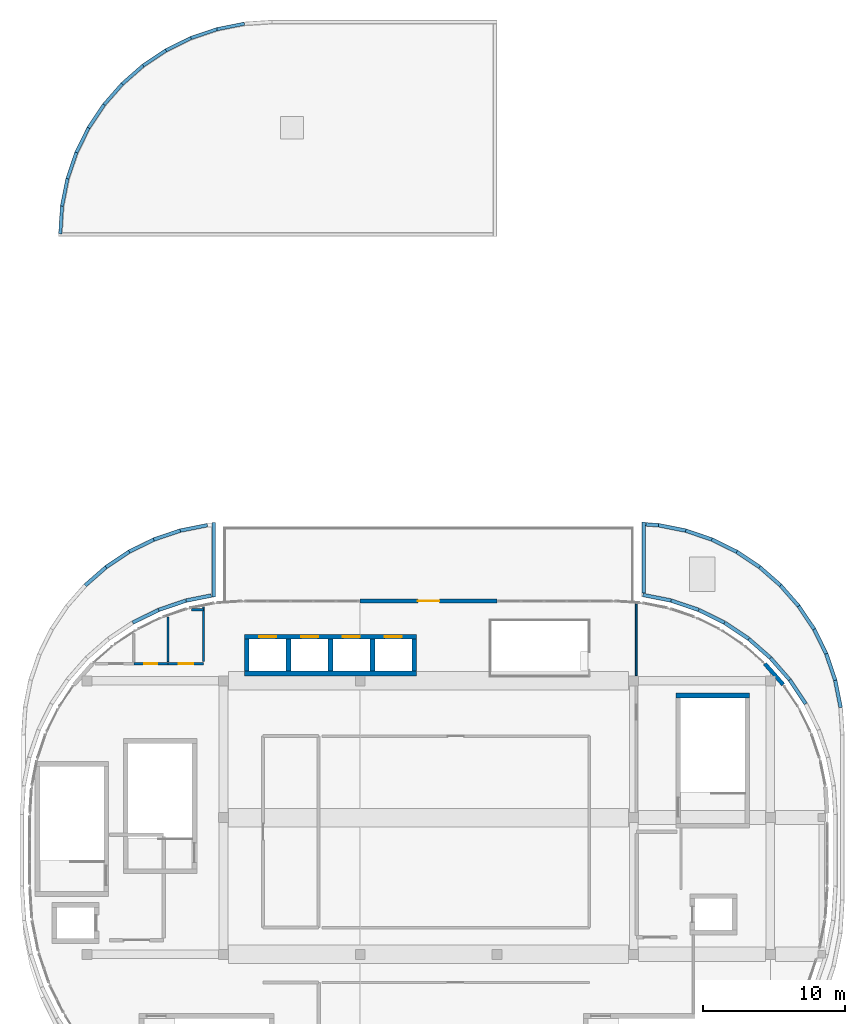
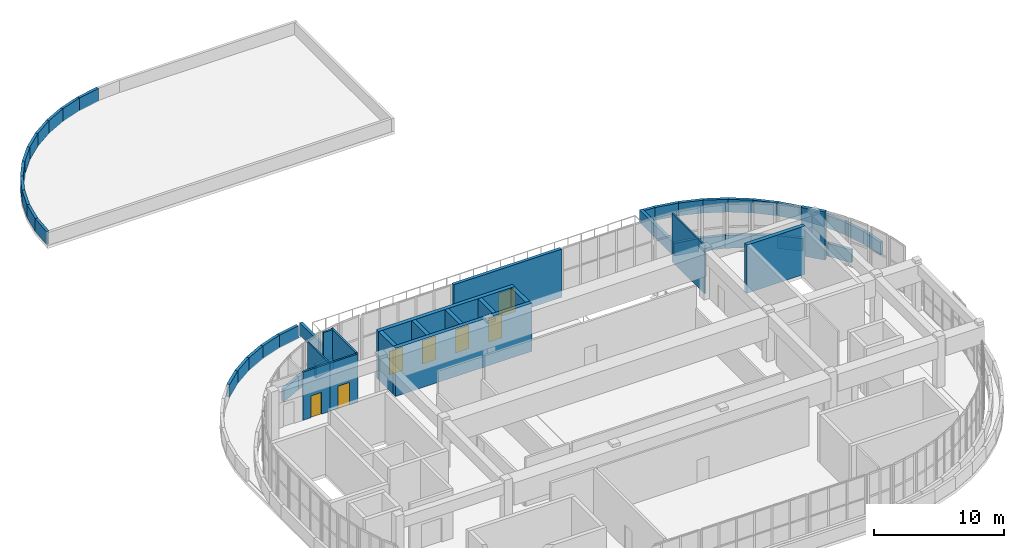
# One storey, part 19 of 23: 55 walls, 7 doors, 7 openings.
"""IFC4 building model written with IfcOpenShell, lengths in metres."""

from ifc_helpers import new_model, si_unit, direction, frame, frame_2d, origin, place, context, subcontext, project, spatial, rectangle, extrude, material, layer, layer_set, type_object, element, fill, save


model = new_model("IFC4")

# Units and contexts
model_context = context("Model", 3, precision=1e-05, world=origin(), true_north=direction((0.0, 1.0)))
body_context = subcontext(model_context, "Body", "Model", "MODEL_VIEW")
ifc_project = project(units=[si_unit("LENGTHUNIT", "METRE"), si_unit("AREAUNIT", "SQUARE_METRE"), si_unit("VOLUMEUNIT", "CUBIC_METRE"), si_unit("PLANEANGLEUNIT", "RADIAN"), si_unit("MASSUNIT", "GRAM", prefix="KILO")], contexts=[model_context])

# Site, building, storey
site_placement = place(None, origin())
site = spatial("IfcSite", under=ifc_project, at=site_placement, CompositionType="ELEMENT")
building_placement = place(site_placement, origin())
building = spatial("IfcBuilding", under=site, at=building_placement, Name="Cendralis Terraced Arcade", CompositionType="ELEMENT")
storey_placement = place(building_placement, frame((0.0, 0.0, 29.39990234375)))
storey = spatial("IfcBuildingStorey", under=building, at=storey_placement, Name="L06", CompositionType="ELEMENT", Elevation=29.39990234375)

# Walls
ifc_material_1 = material(Name="Concrete f'c 42 MPa", Category="concrete")
ifc_layer_1 = layer(ifc_material_1, 0.340087890625, Name="WL-CORE-340")
ifc_layer_set_1 = layer_set([ifc_layer_1], Name="Concrete f'c 42 MPa")
wall_type_1 = type_object("IfcWallType", Name="WL-CORE-340", PredefinedType="SHEAR", material=ifc_layer_set_1)
wall_1_placement = place(storey_placement, frame((50.9599609375, 37.3701171875, 0.0), z_axis=(0.0, 0.0, 1.0), x_axis=(1.0, 0.0, 0.0)))
element("IfcWall", 1, at=wall_1_placement, inside=storey, type_object=wall_type_1, Name="Stair Core Reinforced Concrete Shear Wall SW-ST-04-L06-N", PredefinedType="SHEAR", context=body_context, shape_type="SweptSolid", body=[
    extrude(rectangle(XDim=5.179931640625, YDim=0.340087890625, at=frame_2d((2.58984375, 0.0))), origin(), (0.0, 0.0, 1.0), 4.525146484375),
])
for number, where, z_axis, x_axis, name in (
    (2, (23.77001953125, 39.074951171875, 0.0), (0.0, 0.0, 1.0), (0.0, 1.0, 0.0), "Lift PL-01 Reinforced Concrete Shaft Wall (L06)"),
    (3, (20.830078125, 39.074951171875, 0.0), (0.0, 0.0, 1.0), (0.0, 1.0, 0.0), "Lift PL-01 Reinforced Concrete Shaft Wall (L06)"),
):
    element("IfcWall", number, at=place(storey_placement, frame(where, z_axis=z_axis, x_axis=x_axis)), inside=storey, type_object=wall_type_1, Name=name, PredefinedType="SHEAR", context=body_context, shape_type="SweptSolid", body=[
        extrude(rectangle(XDim=2.25, YDim=0.340087890625, at=frame_2d((1.125, 0.0))), origin(), (0.0, 0.0, 1.0), 4.525146484375),
    ])
wall_2_placement = place(storey_placement, frame((20.659912109375, 38.905029296875, 0.0), z_axis=(0.0, 0.0, 1.0), x_axis=(1.0, 0.0, 0.0)))
element("IfcWall", 4, at=wall_2_placement, inside=storey, type_object=wall_type_1, Name="Lift PL-01 Reinforced Concrete Shaft Wall (L06)", PredefinedType="SHEAR", context=body_context, shape_type="SweptSolid", body=[
    extrude(rectangle(XDim=12.10009765625, YDim=0.340087890625, at=frame_2d((6.050048828125, 0.0))), origin(), (0.0, 0.0, 1.0), 4.525146484375),
])

# Wall, openings, doors
wall_3_placement = place(storey_placement, frame((20.659912109375, 41.4951171875, 0.0), z_axis=(0.0, 0.0, 1.0), x_axis=(1.0, 0.0, 0.0)))
wall_3 = element("IfcWall", 5, at=wall_3_placement, inside=storey, type_object=wall_type_1, Name="Lift PL-01 Reinforced Concrete Shaft Wall (L06)", PredefinedType="SHEAR", context=body_context, shape_type="SweptSolid", body=[
    extrude(rectangle(XDim=12.10009765625, YDim=0.340087890625, at=frame_2d((6.050048828125, 0.0))), origin(), (0.0, 0.0, 1.0), 4.525146484375),
])
opening_1_placement = place(wall_3_placement, frame((1.0400390625, 0.0, 0.0)))
opening_1 = element("IfcOpeningElement", 6, at=opening_1_placement, cuts=wall_3, Name="Opening LD-PL-01-L06", PredefinedType="OPENING", context=body_context, shape_type="SweptSolid", body=[
    extrude(rectangle(XDim=1.199951171875, YDim=2.199951171875, at=frame_2d((0.60009765625, 1.10009765625))), frame((0.0, 0.18212890625, 0.0), z_axis=(0.0, -1.0, 0.0), x_axis=(1.0, 0.0, 0.0)), (0.0, 0.0, 1.0), 0.364013671875),
])
opening_2_placement = place(wall_3_placement, frame((3.97998046875, 0.0, 0.0)))
opening_2 = element("IfcOpeningElement", 7, at=opening_2_placement, cuts=wall_3, Name="Opening LD-PL-02-L06", PredefinedType="OPENING", context=body_context, shape_type="SweptSolid", body=[
    extrude(rectangle(XDim=1.199951171875, YDim=2.199951171875, at=frame_2d((0.60009765625, 1.10009765625))), frame((0.0, 0.18212890625, 0.0), z_axis=(0.0, -1.0, 0.0), x_axis=(1.0, 0.0, 0.0)), (0.0, 0.0, 1.0), 0.364013671875),
])
opening_3_placement = place(wall_3_placement, frame((6.919921875, 0.0, 0.0)))
opening_3 = element("IfcOpeningElement", 8, at=opening_3_placement, cuts=wall_3, Name="Opening LD-PL-03-L06", PredefinedType="OPENING", context=body_context, shape_type="SweptSolid", body=[
    extrude(rectangle(XDim=1.199951171875, YDim=2.199951171875, at=frame_2d((0.60009765625, 1.10009765625))), frame((0.0, 0.18212890625, 0.0), z_axis=(0.0, -1.0, 0.0), x_axis=(1.0, 0.0, 0.0)), (0.0, 0.0, 1.0), 0.364013671875),
])
opening_4_placement = place(wall_3_placement, frame((9.860107421875, 0.0, 0.0)))
opening_4 = element("IfcOpeningElement", 9, at=opening_4_placement, cuts=wall_3, Name="Opening LD-PL-04-L06", PredefinedType="OPENING", context=body_context, shape_type="SweptSolid", body=[
    extrude(rectangle(XDim=1.199951171875, YDim=2.199951171875, at=frame_2d((0.60009765625, 1.10009765625))), frame((0.0, 0.18212890625, 0.0), z_axis=(0.0, -1.0, 0.0), x_axis=(1.0, 0.0, 0.0)), (0.0, 0.0, 1.0), 0.364013671875),
])
ifc_material_2 = material(Name="Anodised aluminium sliding door assembly", Category="aluminium")
door_type_1 = type_object("IfcDoorType", Name="ID-LD-PX-1200x2200", OperationType="DOUBLE_DOOR_SLIDING", PredefinedType="DOOR", material=ifc_material_2)
door_1_placement = place(opening_1_placement, origin())
door_1 = element("IfcDoor", 10, at=door_1_placement, inside=storey, type_object=door_type_1, Name="Lift PL-01 Sliding Landing Door (L06)", OperationType="DOUBLE_DOOR_SLIDING", OverallHeight=2.199951171875, OverallWidth=1.199951171875, PredefinedType="DOOR", context=body_context, shape_type="SweptSolid", body=[
    extrude(rectangle(XDim=1.199951171875, YDim=2.199951171875, at=frame_2d((0.60009765625, 1.10009765625))), frame((0.0, 0.02490234375, 0.0), z_axis=(0.0, -1.0, 0.0), x_axis=(1.0, 0.0, 0.0)), (0.0, 0.0, 1.0), 0.050048828125),
])
fill(opening_1, door_1)
door_2_placement = place(opening_2_placement, origin())
door_2 = element("IfcDoor", 11, at=door_2_placement, inside=storey, type_object=door_type_1, Name="Lift PL-02 Sliding Landing Door (L06)", OperationType="DOUBLE_DOOR_SLIDING", OverallHeight=2.199951171875, OverallWidth=1.199951171875, PredefinedType="DOOR", context=body_context, shape_type="SweptSolid", body=[
    extrude(rectangle(XDim=1.199951171875, YDim=2.199951171875, at=frame_2d((0.60009765625, 1.10009765625))), frame((0.0, 0.02490234375, 0.0), z_axis=(0.0, -1.0, 0.0), x_axis=(1.0, 0.0, 0.0)), (0.0, 0.0, 1.0), 0.050048828125),
])
fill(opening_2, door_2)
door_3_placement = place(opening_3_placement, origin())
door_3 = element("IfcDoor", 12, at=door_3_placement, inside=storey, type_object=door_type_1, Name="Lift PL-03 Sliding Landing Door (L06)", OperationType="DOUBLE_DOOR_SLIDING", OverallHeight=2.199951171875, OverallWidth=1.199951171875, PredefinedType="DOOR", context=body_context, shape_type="SweptSolid", body=[
    extrude(rectangle(XDim=1.199951171875, YDim=2.199951171875, at=frame_2d((0.60009765625, 1.10009765625))), frame((0.0, 0.02490234375, 0.0), z_axis=(0.0, -1.0, 0.0), x_axis=(1.0, 0.0, 0.0)), (0.0, 0.0, 1.0), 0.050048828125),
])
fill(opening_3, door_3)
door_4_placement = place(opening_4_placement, origin())
door_4 = element("IfcDoor", 13, at=door_4_placement, inside=storey, type_object=door_type_1, Name="Lift PL-04 Sliding Landing Door (L06)", OperationType="DOUBLE_DOOR_SLIDING", OverallHeight=2.199951171875, OverallWidth=1.199951171875, PredefinedType="DOOR", context=body_context, shape_type="SweptSolid", body=[
    extrude(rectangle(XDim=1.199951171875, YDim=2.199951171875, at=frame_2d((0.60009765625, 1.10009765625))), frame((0.0, 0.02490234375, 0.0), z_axis=(0.0, -1.0, 0.0), x_axis=(1.0, 0.0, 0.0)), (0.0, 0.0, 1.0), 0.050048828125),
])
fill(opening_4, door_4)

# Walls
for number, where, z_axis, x_axis, name in (
    (14, (26.7099609375, 39.074951171875, 0.0), (0.0, 0.0, 1.0), (0.0, 1.0, 0.0), "Lift PL-02 Reinforced Concrete Shaft Wall (L06)"),
    (15, (29.64990234375, 39.074951171875, 0.0), (0.0, 0.0, 1.0), (0.0, 1.0, 0.0), "Lift PL-03 Reinforced Concrete Shaft Wall (L06)"),
    (16, (32.590087890625, 39.074951171875, 0.0), (0.0, 0.0, 1.0), (0.0, 1.0, 0.0), "Lift PL-04 Reinforced Concrete Shaft Wall (L06)"),
):
    element("IfcWall", number, at=place(storey_placement, frame(where, z_axis=z_axis, x_axis=x_axis)), inside=storey, type_object=wall_type_1, Name=name, PredefinedType="SHEAR", context=body_context, shape_type="SweptSolid", body=[
        extrude(rectangle(XDim=2.25, YDim=0.340087890625, at=frame_2d((1.125, 0.0))), origin(), (0.0, 0.0, 1.0), 4.525146484375),
    ])

# Wall, opening, door
ifc_material_3 = material(Name="Precast concrete f'c 40 MPa", Category="concrete")
ifc_layer_2 = layer(ifc_material_3, 0.280029296875, Name="WL-EXT-GRC-280")
ifc_layer_set_2 = layer_set([ifc_layer_2], Name="Precast concrete f'c 40 MPa")
wall_type_2 = type_object("IfcWallType", Name="WL-EXT-GRC-280", PredefinedType="SOLIDWALL", material=ifc_layer_set_2)
wall_4_placement = place(storey_placement, frame((28.800048828125, 44.0, 0.0), z_axis=(0.0, 0.0, 1.0), x_axis=(1.0, 0.0, 0.0)))
wall_4 = element("IfcWall", 17, at=wall_4_placement, inside=storey, type_object=wall_type_2, Name="Exterior Architectural Wall EW-L06-0336", PredefinedType="SOLIDWALL", context=body_context, shape_type="SweptSolid", body=[
    extrude(rectangle(XDim=9.599853515625, YDim=0.280029296875, at=frame_2d((4.7998046875, 0.0))), origin(), (0.0, 0.0, 1.0), 4.525146484375),
])
opening_5_placement = place(wall_4_placement, frame((4.050048828125, 0.0, 0.0)))
opening_5 = element("IfcOpeningElement", 18, at=opening_5_placement, cuts=wall_4, Name="Opening TD-L06-08", PredefinedType="OPENING", context=body_context, shape_type="SweptSolid", body=[
    extrude(rectangle(XDim=1.5, YDim=2.25, at=frame_2d((0.75, 1.125))), frame((0.0, 0.15185546875, 0.0), z_axis=(0.0, -1.0, 0.0), x_axis=(1.0, 0.0, 0.0)), (0.0, 0.0, 1.0), 0.303955078125),
])
ifc_material_4 = material(Name="Powder-coated thermally broken aluminium and glass", Category="aluminium")
door_type_2 = type_object("IfcDoorType", Name="ED-TER-1500x2250", OperationType="DOUBLE_DOOR_SINGLE_SWING", PredefinedType="DOOR", material=ifc_material_4)
door_5_placement = place(opening_5_placement, origin())
door_5 = element("IfcDoor", 19, at=door_5_placement, inside=storey, type_object=door_type_2, Name="Planted Terrace Access Door TD-L06-08", OperationType="DOUBLE_DOOR_SINGLE_SWING", OverallHeight=2.25, OverallWidth=1.5, PredefinedType="DOOR", context=body_context, shape_type="SweptSolid", body=[
    extrude(rectangle(XDim=1.5, YDim=2.25, at=frame_2d((0.75, 1.125))), frame((0.0, 0.02490234375, 0.0), z_axis=(0.0, -1.0, 0.0), x_axis=(1.0, 0.0, 0.0)), (0.0, 0.0, 1.0), 0.050048828125),
])
fill(opening_5, door_5)

# Walls
wall_5_placement = place(storey_placement, frame((57.20654296875, 39.606689453125, 0.0), z_axis=(0.0, 0.0, 1.0), x_axis=(0.659305812587, -0.751874886859, 0.0)))
element("IfcWall", 20, at=wall_5_placement, inside=storey, type_object=wall_type_2, Name="Exterior Architectural Wall EW-L06-0337", PredefinedType="SOLIDWALL", context=body_context, shape_type="SweptSolid", body=[
    extrude(rectangle(XDim=1.962158203125, YDim=0.280029296875, at=frame_2d((0.98095703125, 0.0))), origin(), (0.0, 0.0, 1.0), 4.525146484375),
])
ifc_layer_3 = layer(ifc_material_3, 0.22998046875, Name="WL-PAR-230")
ifc_layer_set_3 = layer_set([ifc_layer_3], Name="Precast concrete f'c 40 MPa")
wall_type_3 = type_object("IfcWallType", Name="WL-PAR-230", PredefinedType="PARAPET", material=ifc_layer_set_3)
for number, where, z_axis, x_axis, name in (
    (21, (8.239013671875, 73.638916015625, 0.0), (0.0, 0.0, 1.0), (0.321411915774, 0.946939480853, 0.0), "Precast Concrete Roof Parapet Wall PAR-L06-539"),
    (22, (8.86279296875, 75.480712890625, 0.0), (0.0, 0.0, 1.0), (0.442378865867, 0.896828266188, 0.0), "Precast Concrete Roof Parapet Wall PAR-L06-540"),
):
    element("IfcWall", number, at=place(storey_placement, frame(where, z_axis=z_axis, x_axis=x_axis)), inside=storey, type_object=wall_type_3, Name=name, PredefinedType="PARAPET", context=body_context, shape_type="SweptSolid", body=[
        extrude(rectangle(XDim=1.9619140625, YDim=0.22998046875, at=frame_2d((0.98095703125, 0.0))), origin(), (0.0, 0.0, 1.0), 1.2001953125),
    ])
for number, where, z_axis, x_axis, name in (
    (23, (9.7216796875, 77.22509765625, 0.0), (0.0, 0.0, 1.0), (0.555676061585, 0.831398890173, 0.0), "Precast Concrete Roof Parapet Wall PAR-L06-541"),
    (24, (10.80126953125, 78.84228515625, 0.0), (0.0, 0.0, 1.0), (0.659305812587, 0.751874886859, 0.0), "Precast Concrete Roof Parapet Wall PAR-L06-542"),
):
    element("IfcWall", number, at=place(storey_placement, frame(where, z_axis=z_axis, x_axis=x_axis)), inside=storey, type_object=wall_type_3, Name=name, PredefinedType="PARAPET", context=body_context, shape_type="SweptSolid", body=[
        extrude(rectangle(XDim=1.962158203125, YDim=0.22998046875, at=frame_2d((0.98095703125, 0.0))), origin(), (0.0, 0.0, 1.0), 1.2001953125),
    ])
wall_6_placement = place(storey_placement, frame((12.08251953125, 80.30517578125, 0.0), z_axis=(0.0, 0.0, 1.0), x_axis=(0.751820795519, 0.659367493455, 0.0)))
element("IfcWall", 25, at=wall_6_placement, inside=storey, type_object=wall_type_3, Name="Precast Concrete Roof Parapet Wall PAR-L06-543", PredefinedType="PARAPET", context=body_context, shape_type="SweptSolid", body=[
    extrude(rectangle(XDim=1.9619140625, YDim=0.22998046875, at=frame_2d((0.98095703125, 0.0))), origin(), (0.0, 0.0, 1.0), 1.2001953125),
])
for number, where, z_axis, x_axis, name in (
    (26, (13.543701171875, 81.588134765625, 0.0), (0.0, 0.0, 1.0), (0.831456371993, 0.555590048032, 0.0), "Precast Concrete Roof Parapet Wall PAR-L06-544"),
    (27, (15.15966796875, 82.669189453125, 0.0), (0.0, 0.0, 1.0), (0.89685261461, 0.44232950124, 0.0), "Precast Concrete Roof Parapet Wall PAR-L06-545"),
):
    element("IfcWall", number, at=place(storey_placement, frame(where, z_axis=z_axis, x_axis=x_axis)), inside=storey, type_object=wall_type_3, Name=name, PredefinedType="PARAPET", context=body_context, shape_type="SweptSolid", body=[
        extrude(rectangle(XDim=1.962158203125, YDim=0.22998046875, at=frame_2d((0.98095703125, 0.0))), origin(), (0.0, 0.0, 1.0), 1.2001953125),
    ])
wall_7_placement = place(storey_placement, frame((16.903076171875, 83.530517578125, 0.0), z_axis=(0.0, 0.0, 1.0), x_axis=(0.946939480853, 0.321411915774, 0.0)))
element("IfcWall", 28, at=wall_7_placement, inside=storey, type_object=wall_type_3, Name="Precast Concrete Roof Parapet Wall PAR-L06-546", PredefinedType="PARAPET", context=body_context, shape_type="SweptSolid", body=[
    extrude(rectangle(XDim=1.9619140625, YDim=0.22998046875, at=frame_2d((0.98095703125, 0.0))), origin(), (0.0, 0.0, 1.0), 1.2001953125),
])
wall_8_placement = place(storey_placement, frame((18.743896484375, 84.156494140625, 0.0), z_axis=(0.0, 0.0, 1.0), x_axis=(0.980785903935, 0.195087187285, 0.0)))
element("IfcWall", 29, at=wall_8_placement, inside=storey, type_object=wall_type_3, Name="Precast Concrete Roof Parapet Wall PAR-L06-547", PredefinedType="PARAPET", context=body_context, shape_type="SweptSolid", body=[
    extrude(rectangle(XDim=1.962158203125, YDim=0.22998046875, at=frame_2d((0.98095703125, 0.0))), origin(), (0.0, 0.0, 1.0), 1.2001953125),
])
for number, where, z_axis, x_axis, name in (
    (30, (7.734619140625, 69.791259765625, 0.0), (0.0, 0.0, 1.0), (0.065453554619, 0.997855616904, 0.0), "Precast Concrete Roof Parapet Wall PAR-L06-552"),
    (31, (7.860595703125, 71.731689453125, 0.0), (0.0, 0.0, 1.0), (0.19511099609, 0.980781167848, 0.0), "Precast Concrete Roof Parapet Wall PAR-L06-553"),
):
    element("IfcWall", number, at=place(storey_placement, frame(where, z_axis=z_axis, x_axis=x_axis)), inside=storey, type_object=wall_type_3, Name=name, PredefinedType="PARAPET", context=body_context, shape_type="SweptSolid", body=[
        extrude(rectangle(XDim=1.9619140625, YDim=0.22998046875, at=frame_2d((0.98095703125, 0.0))), origin(), (0.0, 0.0, 1.0), 1.2001953125),
    ])
ifc_layer_4 = layer(ifc_material_3, 0.25, Name="WL-PAR-250")
ifc_layer_set_4 = layer_set([ifc_layer_4], Name="Precast concrete f'c 40 MPa")
wall_type_4 = type_object("IfcWallType", Name="WL-PAR-250", PredefinedType="PARAPET", material=ifc_layer_set_4)
wall_9_placement = place(storey_placement, frame((9.489013671875, 45.09765625, 0.0), z_axis=(0.0, 0.0, 1.0), x_axis=(0.751820795519, 0.659367493455, 0.0)))
element("IfcWall", 32, at=wall_9_placement, inside=storey, type_object=wall_type_4, Name="Precast Concrete Roof Parapet Wall PAR-L06-442", PredefinedType="PARAPET", context=body_context, shape_type="SweptSolid", body=[
    extrude(rectangle(XDim=1.9619140625, YDim=0.25, at=frame_2d((0.98095703125, 0.0))), origin(), (0.0, 0.0, 1.0), 1.2001953125),
])
wall_10_placement = place(storey_placement, frame((10.94921875, 46.379638671875, 0.0), z_axis=(0.0, 0.0, 1.0), x_axis=(0.831456371993, 0.555590048032, 0.0)))
element("IfcWall", 33, at=wall_10_placement, inside=storey, type_object=wall_type_4, Name="Precast Concrete Roof Parapet Wall PAR-L06-443", PredefinedType="PARAPET", context=body_context, shape_type="SweptSolid", body=[
    extrude(rectangle(XDim=1.962158203125, YDim=0.25, at=frame_2d((0.98095703125, 0.0))), origin(), (0.0, 0.0, 1.0), 1.2001953125),
])
wall_11_placement = place(storey_placement, frame((12.564208984375, 47.46044921875, 0.0), z_axis=(0.0, 0.0, 1.0), x_axis=(0.896877632786, 0.4422787716, 0.0)))
element("IfcWall", 34, at=wall_11_placement, inside=storey, type_object=wall_type_4, Name="Precast Concrete Roof Parapet Wall PAR-L06-444", PredefinedType="PARAPET", context=body_context, shape_type="SweptSolid", body=[
    extrude(rectangle(XDim=1.9619140625, YDim=0.25, at=frame_2d((0.98095703125, 0.0))), origin(), (0.0, 0.0, 1.0), 1.2001953125),
])
wall_12_placement = place(storey_placement, frame((14.306396484375, 48.32080078125, 0.0), z_axis=(0.0, 0.0, 1.0), x_axis=(0.946901603487, 0.321523487965, 0.0)))
element("IfcWall", 35, at=wall_12_placement, inside=storey, type_object=wall_type_4, Name="Precast Concrete Roof Parapet Wall PAR-L06-445", PredefinedType="PARAPET", context=body_context, shape_type="SweptSolid", body=[
    extrude(rectangle(XDim=1.962158203125, YDim=0.25, at=frame_2d((0.98095703125, 0.0))), origin(), (0.0, 0.0, 1.0), 1.2001953125),
])
wall_13_placement = place(storey_placement, frame((16.14599609375, 48.94677734375, 0.0), z_axis=(0.0, 0.0, 1.0), x_axis=(0.980781167848, 0.19511099609, 0.0)))
element("IfcWall", 36, at=wall_13_placement, inside=storey, type_object=wall_type_4, Name="Precast Concrete Roof Parapet Wall PAR-L06-446", PredefinedType="PARAPET", context=body_context, shape_type="SweptSolid", body=[
    extrude(rectangle(XDim=1.9619140625, YDim=0.25, at=frame_2d((0.98095703125, 0.0))), origin(), (0.0, 0.0, 1.0), 1.2001953125),
])
wall_14_placement = place(storey_placement, frame((18.5048828125, 49.511474609375, 0.0), z_axis=(0.0, 0.0, 1.0), x_axis=(0.0, -1.0, 0.0)))
element("IfcWall", 37, at=wall_14_placement, inside=storey, type_object=wall_type_4, Name="Precast Concrete Roof Parapet Wall PAR-L06-447", PredefinedType="PARAPET", context=body_context, shape_type="SweptSolid", body=[
    extrude(rectangle(XDim=5.21826171875, YDim=0.25, at=frame_2d((2.609130859375, 0.0))), origin(), (0.0, 0.0, 1.0), 1.2001953125),
])
wall_15_placement = place(storey_placement, frame((18.3408203125, 44.3876953125, 0.0), z_axis=(0.0, 0.0, 1.0), x_axis=(-0.980789397091, -0.195069624886, 0.0)))
element("IfcWall", 38, at=wall_15_placement, inside=storey, type_object=wall_type_4, Name="Precast Concrete Roof Parapet Wall PAR-L06-448", PredefinedType="PARAPET", context=body_context, shape_type="SweptSolid", body=[
    extrude(rectangle(XDim=1.794677734375, YDim=0.25, at=frame_2d((0.8974609375, 0.0))), origin(), (0.0, 0.0, 1.0), 1.2001953125),
])
for number, where, z_axis, x_axis, name in (
    (39, (16.562255859375, 44.03271484375, 0.0), (0.0, 0.0, 1.0), (-0.946962916762, -0.321342860941, 0.0), "Precast Concrete Roof Parapet Wall PAR-L06-449"),
    (40, (14.634521484375, 43.377197265625, 0.0), (0.0, 0.0, 1.0), (-0.896834695497, -0.442365831584, 0.0), "Precast Concrete Roof Parapet Wall PAR-L06-450"),
    (41, (60.075439453125, 36.791015625, 0.0), (0.0, 0.0, 1.0), (-0.555537830231, 0.831491262241, 0.0), "Precast Concrete Roof Parapet Wall PAR-L06-490"),
    (42, (58.943115234375, 38.483154296875, 0.0), (0.0, 0.0, 1.0), (-0.659292598609, 0.751886473758, 0.0), "Precast Concrete Roof Parapet Wall PAR-L06-491"),
):
    element("IfcWall", number, at=place(storey_placement, frame(where, z_axis=z_axis, x_axis=x_axis)), inside=storey, type_object=wall_type_4, Name=name, PredefinedType="PARAPET", context=body_context, shape_type="SweptSolid", body=[
        extrude(rectangle(XDim=2.01708984375, YDim=0.25, at=frame_2d((1.008544921875, 0.0))), origin(), (0.0, 0.0, 1.0), 1.2001953125),
    ])
wall_16_placement = place(storey_placement, frame((57.599853515625, 40.01318359375, 0.0), z_axis=(0.0, 0.0, 1.0), x_axis=(-0.751826475426, 0.659361017083, 0.0)))
element("IfcWall", 43, at=wall_16_placement, inside=storey, type_object=wall_type_4, Name="Precast Concrete Roof Parapet Wall PAR-L06-492", PredefinedType="PARAPET", context=body_context, shape_type="SweptSolid", body=[
    extrude(rectangle(XDim=2.017333984375, YDim=0.25, at=frame_2d((1.0087890625, 0.0))), origin(), (0.0, 0.0, 1.0), 1.2001953125),
])
for number, where, z_axis, x_axis, name in (
    (44, (56.068115234375, 41.354736328125, 0.0), (0.0, 0.0, 1.0), (-0.83139798639, 0.555677413818, 0.0), "Precast Concrete Roof Parapet Wall PAR-L06-493"),
    (45, (54.37451171875, 42.48486328125, 0.0), (0.0, 0.0, 1.0), (-0.896834695497, 0.442365831584, 0.0), "Precast Concrete Roof Parapet Wall PAR-L06-494"),
):
    element("IfcWall", number, at=place(storey_placement, frame(where, z_axis=z_axis, x_axis=x_axis)), inside=storey, type_object=wall_type_4, Name=name, PredefinedType="PARAPET", context=body_context, shape_type="SweptSolid", body=[
        extrude(rectangle(XDim=2.01708984375, YDim=0.25, at=frame_2d((1.008544921875, 0.0))), origin(), (0.0, 0.0, 1.0), 1.2001953125),
    ])
wall_17_placement = place(storey_placement, frame((52.548095703125, 43.384521484375, 0.0), z_axis=(0.0, 0.0, 1.0), x_axis=(-0.94697541264, 0.321306034576, 0.0)))
element("IfcWall", 46, at=wall_17_placement, inside=storey, type_object=wall_type_4, Name="Precast Concrete Roof Parapet Wall PAR-L06-495", PredefinedType="PARAPET", context=body_context, shape_type="SweptSolid", body=[
    extrude(rectangle(XDim=2.017333984375, YDim=0.25, at=frame_2d((1.0087890625, 0.0))), origin(), (0.0, 0.0, 1.0), 1.2001953125),
])
wall_18_placement = place(storey_placement, frame((50.619384765625, 44.03759765625, 0.0), z_axis=(0.0, 0.0, 1.0), x_axis=(-0.980780345025, 0.195115132196, 0.0)))
element("IfcWall", 47, at=wall_18_placement, inside=storey, type_object=wall_type_4, Name="Precast Concrete Roof Parapet Wall PAR-L06-496", PredefinedType="PARAPET", context=body_context, shape_type="SweptSolid", body=[
    extrude(rectangle(XDim=2.01708984375, YDim=0.25, at=frame_2d((1.008544921875, 0.0))), origin(), (0.0, 0.0, 1.0), 1.2001953125),
])
wall_19_placement = place(storey_placement, frame((48.695068359375, 44.57373046875, 0.0), z_axis=(0.0, 0.0, 1.0), x_axis=(0.0, 1.0, 0.0)))
element("IfcWall", 48, at=wall_19_placement, inside=storey, type_object=wall_type_4, Name="Precast Concrete Roof Parapet Wall PAR-L06-497", PredefinedType="PARAPET", context=body_context, shape_type="SweptSolid", body=[
    extrude(rectangle(XDim=4.97705078125, YDim=0.25, at=frame_2d((2.488525390625, 0.0))), origin(), (0.0, 0.0, 1.0), 1.2001953125),
])
wall_20_placement = place(storey_placement, frame((48.84814453125, 49.385986328125, 0.0), z_axis=(0.0, 0.0, 1.0), x_axis=(0.997852891504, -0.06549509079, 0.0)))
element("IfcWall", 49, at=wall_20_placement, inside=storey, type_object=wall_type_4, Name="Precast Concrete Roof Parapet Wall PAR-L06-498", PredefinedType="PARAPET", context=body_context, shape_type="SweptSolid", body=[
    extrude(rectangle(XDim=0.902099609375, YDim=0.25, at=frame_2d((0.451171875, 0.0))), origin(), (0.0, 0.0, 1.0), 1.2001953125),
])
for number, where, z_axis, x_axis, name in (
    (50, (49.7294921875, 49.32958984375, 0.0), (0.0, 0.0, 1.0), (0.980785903935, -0.195087187285, 0.0), "Precast Concrete Roof Parapet Wall PAR-L06-499"),
    (51, (51.6357421875, 48.95166015625, 0.0), (0.0, 0.0, 1.0), (0.946901603487, -0.321523487965, 0.0), "Precast Concrete Roof Parapet Wall PAR-L06-500"),
):
    element("IfcWall", number, at=place(storey_placement, frame(where, z_axis=z_axis, x_axis=x_axis)), inside=storey, type_object=wall_type_4, Name=name, PredefinedType="PARAPET", context=body_context, shape_type="SweptSolid", body=[
        extrude(rectangle(XDim=1.962158203125, YDim=0.25, at=frame_2d((0.98095703125, 0.0))), origin(), (0.0, 0.0, 1.0), 1.2001953125),
    ])
wall_21_placement = place(storey_placement, frame((53.476318359375, 48.328125, 0.0), z_axis=(0.0, 0.0, 1.0), x_axis=(0.896877632786, -0.4422787716, 0.0)))
element("IfcWall", 52, at=wall_21_placement, inside=storey, type_object=wall_type_4, Name="Precast Concrete Roof Parapet Wall PAR-L06-501", PredefinedType="PARAPET", context=body_context, shape_type="SweptSolid", body=[
    extrude(rectangle(XDim=1.9619140625, YDim=0.25, at=frame_2d((0.98095703125, 0.0))), origin(), (0.0, 0.0, 1.0), 1.2001953125),
])
for number, where, z_axis, x_axis, name in (
    (53, (55.219482421875, 47.4697265625, 0.0), (0.0, 0.0, 1.0), (0.831456371993, -0.555590048032, 0.0), "Precast Concrete Roof Parapet Wall PAR-L06-502"),
    (54, (56.835693359375, 46.391357421875, 0.0), (0.0, 0.0, 1.0), (0.751874886859, -0.659305812587, 0.0), "Precast Concrete Roof Parapet Wall PAR-L06-503"),
    (55, (58.297607421875, 45.111083984375, 0.0), (0.0, 0.0, 1.0), (0.659305812587, -0.751874886859, 0.0), "Precast Concrete Roof Parapet Wall PAR-L06-504"),
):
    element("IfcWall", number, at=place(storey_placement, frame(where, z_axis=z_axis, x_axis=x_axis)), inside=storey, type_object=wall_type_4, Name=name, PredefinedType="PARAPET", context=body_context, shape_type="SweptSolid", body=[
        extrude(rectangle(XDim=1.962158203125, YDim=0.25, at=frame_2d((0.98095703125, 0.0))), origin(), (0.0, 0.0, 1.0), 1.2001953125),
    ])
wall_22_placement = place(storey_placement, frame((59.57958984375, 43.65087890625, 0.0), z_axis=(0.0, 0.0, 1.0), x_axis=(0.555618583908, -0.831437303238, 0.0)))
element("IfcWall", 56, at=wall_22_placement, inside=storey, type_object=wall_type_4, Name="Precast Concrete Roof Parapet Wall PAR-L06-505", PredefinedType="PARAPET", context=body_context, shape_type="SweptSolid", body=[
    extrude(rectangle(XDim=1.96240234375, YDim=0.25, at=frame_2d((0.981201171875, 0.0))), origin(), (0.0, 0.0, 1.0), 1.2001953125),
])
wall_23_placement = place(storey_placement, frame((60.660400390625, 42.035888671875, 0.0), z_axis=(0.0, 0.0, 1.0), x_axis=(0.44232950124, -0.89685261461, 0.0)))
element("IfcWall", 57, at=wall_23_placement, inside=storey, type_object=wall_type_4, Name="Precast Concrete Roof Parapet Wall PAR-L06-506", PredefinedType="PARAPET", context=body_context, shape_type="SweptSolid", body=[
    extrude(rectangle(XDim=1.962158203125, YDim=0.25, at=frame_2d((0.98095703125, 0.0))), origin(), (0.0, 0.0, 1.0), 1.2001953125),
])
wall_24_placement = place(storey_placement, frame((61.52099609375, 40.293701171875, 0.0), z_axis=(0.0, 0.0, 1.0), x_axis=(0.321411915774, -0.946939480853, 0.0)))
element("IfcWall", 58, at=wall_24_placement, inside=storey, type_object=wall_type_4, Name="Precast Concrete Roof Parapet Wall PAR-L06-507", PredefinedType="PARAPET", context=body_context, shape_type="SweptSolid", body=[
    extrude(rectangle(XDim=1.9619140625, YDim=0.25, at=frame_2d((0.98095703125, 0.0))), origin(), (0.0, 0.0, 1.0), 1.2001953125),
])
wall_25_placement = place(storey_placement, frame((62.146728515625, 38.4541015625, 0.0), z_axis=(0.0, 0.0, 1.0), x_axis=(0.195087187285, -0.980785903935, 0.0)))
element("IfcWall", 59, at=wall_25_placement, inside=storey, type_object=wall_type_4, Name="Precast Concrete Roof Parapet Wall PAR-L06-508", PredefinedType="PARAPET", context=body_context, shape_type="SweptSolid", body=[
    extrude(rectangle(XDim=1.962158203125, YDim=0.25, at=frame_2d((0.98095703125, 0.0))), origin(), (0.0, 0.0, 1.0), 1.2001953125),
])
ifc_material_5 = material(Name="Gypsum plasterboard acoustic partition", Category="concrete")
ifc_layer_5 = layer(ifc_material_5, 0.1298828125, Name="WL-PART-130")
ifc_layer_set_5 = layer_set([ifc_layer_5], Name="Gypsum plasterboard acoustic partition")
wall_type_5 = type_object("IfcWallType", Name="WL-PART-130", PredefinedType="PARTITIONING", material=ifc_layer_set_5)
wall_26_placement = place(storey_placement, frame((15.300048828125, 39.75, 0.0), z_axis=(0.0, 0.0, 1.0), x_axis=(0.0, 1.0, 0.0)))
element("IfcWall", 60, at=wall_26_placement, inside=storey, type_object=wall_type_5, Name="Restroom Enclosure Partition IW-WC-L06-0084", PredefinedType="PARTITIONING", context=body_context, shape_type="SweptSolid", body=[
    extrude(rectangle(XDim=3.120361328125, YDim=0.1298828125, at=frame_2d((1.56005859375, 0.0))), origin(), (0.0, 0.0, 1.0), 4.525146484375),
])
ifc_layer_6 = layer(ifc_material_5, 0.137939453125, Name="WL-PART-138")
ifc_layer_set_6 = layer_set([ifc_layer_6], Name="Gypsum plasterboard acoustic partition")
wall_type_6 = type_object("IfcWallType", Name="WL-PART-138", PredefinedType="PARTITIONING", material=ifc_layer_set_6)
wall_27_placement = place(storey_placement, frame((48.179931640625, 38.77001953125, 0.0), z_axis=(0.0, 0.0, 1.0), x_axis=(0.0, 1.0, 0.0)))
element("IfcWall", 61, at=wall_27_placement, inside=storey, type_object=wall_type_6, Name="Interior Partition Wall IW-L06-0638", PredefinedType="PARTITIONING", context=body_context, shape_type="SweptSolid", body=[
    extrude(rectangle(XDim=5.03173828125, YDim=0.137939453125, at=frame_2d((2.515869140625, 0.0))), origin(), (0.0, 0.0, 1.0), 4.525146484375),
])
ifc_layer_7 = layer(ifc_material_5, 0.159912109375, Name="WL-PART-160")
ifc_layer_set_7 = layer_set([ifc_layer_7], Name="Gypsum plasterboard acoustic partition")
wall_type_7 = type_object("IfcWallType", Name="WL-PART-160", PredefinedType="PARTITIONING", material=ifc_layer_set_7)
wall_28_placement = place(storey_placement, frame((16.93701171875, 43.39990234375, 0.0), z_axis=(0.0, 0.0, 1.0), x_axis=(1.0, 0.0, 0.0)))
element("IfcWall", 62, at=wall_28_placement, inside=storey, type_object=wall_type_7, Name="Restroom Enclosure Partition IW-WC-L06-0081", PredefinedType="PARTITIONING", context=body_context, shape_type="SweptSolid", body=[
    extrude(rectangle(XDim=0.863037109375, YDim=0.159912109375, at=frame_2d((0.431640625, 0.0))), origin(), (0.0, 0.0, 1.0), 4.525146484375),
])
wall_29_placement = place(storey_placement, frame((17.800048828125, 39.75, 0.0), z_axis=(0.0, 0.0, 1.0), x_axis=(0.0, 1.0, 0.0)))
element("IfcWall", 63, at=wall_29_placement, inside=storey, type_object=wall_type_7, Name="Restroom Enclosure Partition IW-WC-L06-0085", PredefinedType="PARTITIONING", context=body_context, shape_type="SweptSolid", body=[
    extrude(rectangle(XDim=3.821533203125, YDim=0.159912109375, at=frame_2d((1.91064453125, 0.0))), origin(), (0.0, 0.0, 1.0), 4.525146484375),
])

# Wall, opening, door
wall_30_placement = place(storey_placement, frame((12.89990234375, 39.60009765625, 0.0), z_axis=(0.0, 0.0, 1.0), x_axis=(1.0, 0.0, 0.0)))
wall_30 = element("IfcWall", 64, at=wall_30_placement, inside=storey, type_object=wall_type_7, Name="Restroom Enclosure Partition IW-WC-L06-0087", PredefinedType="PARTITIONING", context=body_context, shape_type="SweptSolid", body=[
    extrude(rectangle(XDim=2.400146484375, YDim=0.159912109375, at=frame_2d((1.2001953125, 0.0))), origin(), (0.0, 0.0, 1.0), 4.525146484375),
])
opening_6_placement = place(wall_30_placement, frame((0.739990234375, 0.0, 0.0)))
opening_6 = element("IfcOpeningElement", 65, at=opening_6_placement, cuts=wall_30, Name="Opening D-WC-L06-031", PredefinedType="OPENING", context=body_context, shape_type="SweptSolid", body=[
    extrude(rectangle(XDim=0.919921875, YDim=2.050048828125, at=frame_2d((0.4599609375, 1.02490234375))), frame((0.0, 0.091796875, 0.0), z_axis=(0.0, -1.0, 0.0), x_axis=(1.0, 0.0, 0.0)), (0.0, 0.0, 1.0), 0.183837890625),
])
ifc_material_6 = material(Name="Solid core Andean oak veneer door leaf", Category="aluminium")
door_type_3 = type_object("IfcDoorType", Name="ID-WC-0920x2050", OperationType="NOTDEFINED", PredefinedType="DOOR", material=ifc_material_6)
door_6_placement = place(opening_6_placement, origin())
door_6 = element("IfcDoor", 66, at=door_6_placement, inside=storey, type_object=door_type_3, Name="Men's Restroom Door (L06)", OperationType="SINGLE_SWING_RIGHT", OverallHeight=2.050048828125, OverallWidth=0.919921875, PredefinedType="DOOR", context=body_context, shape_type="SweptSolid", body=[
    extrude(rectangle(XDim=0.919921875, YDim=2.050048828125, at=frame_2d((0.4599609375, 1.02490234375))), frame((0.0, 0.02490234375, 0.0), z_axis=(0.0, -1.0, 0.0), x_axis=(1.0, 0.0, 0.0)), (0.0, 0.0, 1.0), 0.050048828125),
])
fill(opening_6, door_6)

wall_31_placement = place(storey_placement, frame((15.300048828125, 39.60009765625, 0.0), z_axis=(0.0, 0.0, 1.0), x_axis=(1.0, 0.0, 0.0)))
wall_31 = element("IfcWall", 67, at=wall_31_placement, inside=storey, type_object=wall_type_7, Name="Restroom Enclosure Partition IW-WC-L06-0088", PredefinedType="PARTITIONING", context=body_context, shape_type="SweptSolid", body=[
    extrude(rectangle(XDim=2.5, YDim=0.159912109375, at=frame_2d((1.25, 0.0))), origin(), (0.0, 0.0, 1.0), 4.525146484375),
])
opening_7_placement = place(wall_31_placement, frame((0.739990234375, 0.0, 0.0)))
opening_7 = element("IfcOpeningElement", 68, at=opening_7_placement, cuts=wall_31, Name="Opening D-WC-L06-032", PredefinedType="OPENING", context=body_context, shape_type="SweptSolid", body=[
    extrude(rectangle(XDim=1.02001953125, YDim=2.1201171875, at=frame_2d((0.510009765625, 1.06005859375))), frame((0.0, 0.091796875, 0.0), z_axis=(0.0, -1.0, 0.0), x_axis=(1.0, 0.0, 0.0)), (0.0, 0.0, 1.0), 0.183837890625),
])
door_type_4 = type_object("IfcDoorType", Name="ID-AWC-1020x2120", OperationType="NOTDEFINED", PredefinedType="DOOR", material=ifc_material_6)
door_7_placement = place(opening_7_placement, origin())
door_7 = element("IfcDoor", 69, at=door_7_placement, inside=storey, type_object=door_type_4, Name="Accessible WC Door (L06)", OperationType="SINGLE_SWING_LEFT", OverallHeight=2.1201171875, OverallWidth=1.02001953125, PredefinedType="DOOR", context=body_context, shape_type="SweptSolid", body=[
    extrude(rectangle(XDim=1.02001953125, YDim=2.1201171875, at=frame_2d((0.510009765625, 1.06005859375))), frame((0.0, 0.02490234375, 0.0), z_axis=(0.0, -1.0, 0.0), x_axis=(1.0, 0.0, 0.0)), (0.0, 0.0, 1.0), 0.050048828125),
])
fill(opening_7, door_7)

save(model, "model.ifc")
